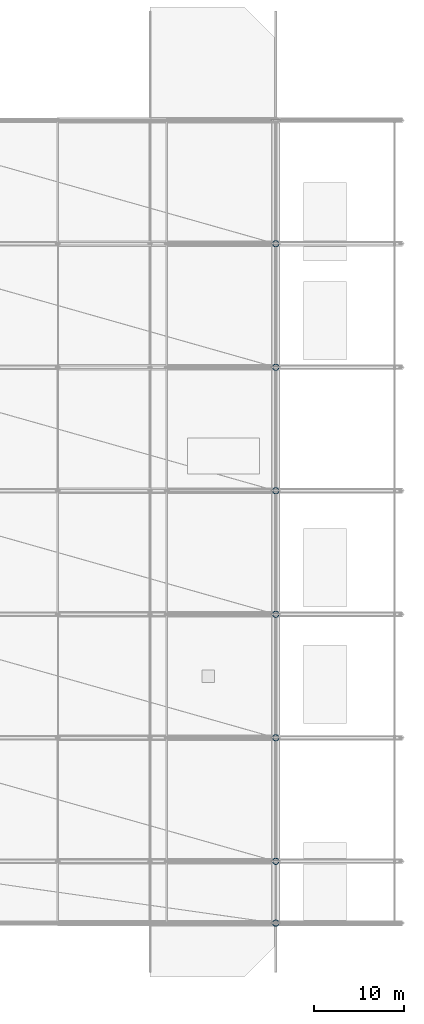
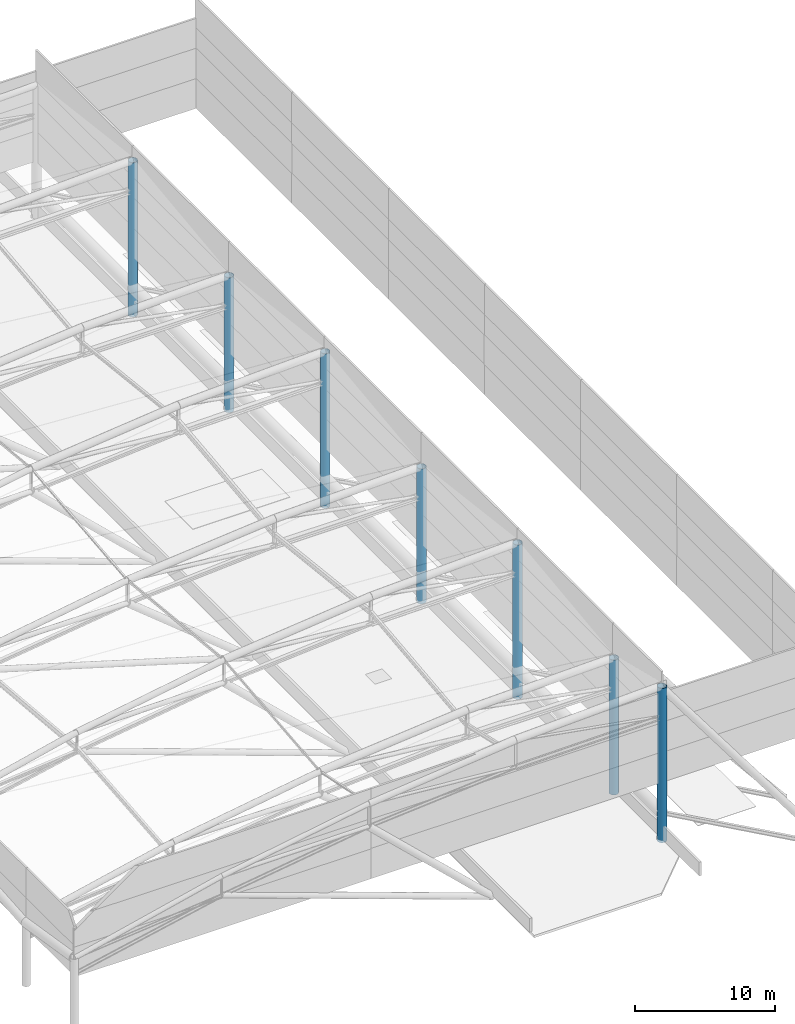
# One storey, part 7 of 113: 7 columns.
"""IFC4 building model written with IfcOpenShell, lengths in metres."""

from ifc_helpers import new_model, si_unit, direction, frame, origin, origin_2d, place, context, subcontext, project, spatial, hollow_circle, extrude, material, material_profile, profile_set, type_object, element, save


model = new_model("IFC4")

# Units and contexts
model_context = context("Model", 3, precision=1e-05, world=origin(), true_north=direction((0.0, 1.0)))
body_context = subcontext(model_context, "Body", "Model", "MODEL_VIEW")
ifc_project = project(units=[si_unit("LENGTHUNIT", "METRE"), si_unit("AREAUNIT", "SQUARE_METRE"), si_unit("VOLUMEUNIT", "CUBIC_METRE"), si_unit("PLANEANGLEUNIT", "RADIAN"), si_unit("MASSUNIT", "GRAM", prefix="KILO")], contexts=[model_context])

# Site, building, storey
site_placement = place(None, origin())
site = spatial("IfcSite", under=ifc_project, at=site_placement, CompositionType="ELEMENT")
building_placement = place(site_placement, origin())
building = spatial("IfcBuilding", under=site, at=building_placement, Name="Linyun Crest Stadium", CompositionType="ELEMENT")
storey_placement = place(building_placement, frame((0.0, 0.0, 26.39990234375)))
storey = spatial("IfcBuildingStorey", under=building, at=storey_placement, Name="L06", CompositionType="ELEMENT", Elevation=26.39990234375)

# Columns
ifc_material = material(Name="Steel Q420C", Category="steel")
ifc_material_profile = material_profile(ifc_material, hollow_circle(Radius=0.35546875, WallThickness=0.031982421875, at=origin_2d()), Name="CHS 711x32")
ifc_profile_set = profile_set([ifc_material_profile], Name="Steel Q420C")
column_type = type_object("IfcColumnType", Name="MST02", PredefinedType="USERDEFINED", material=ifc_profile_set)
column_1_placement = place(storey_placement, frame((84.0, -46.0, -0.21484375), z_axis=(0.0, 0.0, 1.0), x_axis=(1.0, 0.0, 0.0)))
element("IfcColumn", 1, at=column_1_placement, inside=storey, type_object=column_type, Name="Roof mast MST02 V2 17", ObjectType="ROOF MAST", PredefinedType="USERDEFINED", context=body_context, shape_type="SweptSolid", body=[
    extrude(hollow_circle(Radius=0.35546875, WallThickness=0.031982421875, at=origin_2d()), origin(), (0.0, 0.0, 1.0), 13.46484375),
])
column_2_placement = place(storey_placement, frame((84.0, -39.125, -0.21484375), z_axis=(0.0, 0.0, 1.0), x_axis=(1.0, 0.0, 0.0)))
element("IfcColumn", 2, at=column_2_placement, inside=storey, type_object=column_type, Name="Roof mast MST02 V2 19", ObjectType="ROOF MAST", PredefinedType="USERDEFINED", context=body_context, shape_type="SweptSolid", body=[
    extrude(hollow_circle(Radius=0.35546875, WallThickness=0.031982421875, at=origin_2d()), origin(), (0.0, 0.0, 1.0), 11.764892578125),
])
column_3_placement = place(storey_placement, frame((84.0, -25.375, -0.21484375), z_axis=(0.0, 0.0, 1.0), x_axis=(1.0, 0.0, 0.0)))
element("IfcColumn", 3, at=column_3_placement, inside=storey, type_object=column_type, Name="Roof mast MST02 V2 21", ObjectType="ROOF MAST", PredefinedType="USERDEFINED", context=body_context, shape_type="SweptSolid", body=[
    extrude(hollow_circle(Radius=0.35546875, WallThickness=0.031982421875, at=origin_2d()), origin(), (0.0, 0.0, 1.0), 13.46484375),
])
column_4_placement = place(storey_placement, frame((84.0, -11.625, -0.21484375), z_axis=(0.0, 0.0, 1.0), x_axis=(1.0, 0.0, 0.0)))
element("IfcColumn", 4, at=column_4_placement, inside=storey, type_object=column_type, Name="Roof mast MST02 V2 23", ObjectType="ROOF MAST", PredefinedType="USERDEFINED", context=body_context, shape_type="SweptSolid", body=[
    extrude(hollow_circle(Radius=0.35546875, WallThickness=0.031982421875, at=origin_2d()), origin(), (0.0, 0.0, 1.0), 11.764892578125),
])
column_5_placement = place(storey_placement, frame((84.0, 2.125, -0.21484375), z_axis=(0.0, 0.0, 1.0), x_axis=(1.0, 0.0, 0.0)))
element("IfcColumn", 5, at=column_5_placement, inside=storey, type_object=column_type, Name="Roof mast MST02 V2 25", ObjectType="ROOF MAST", PredefinedType="USERDEFINED", context=body_context, shape_type="SweptSolid", body=[
    extrude(hollow_circle(Radius=0.35546875, WallThickness=0.031982421875, at=origin_2d()), origin(), (0.0, 0.0, 1.0), 13.46484375),
])
column_6_placement = place(storey_placement, frame((84.0, 15.875, -0.21484375), z_axis=(0.0, 0.0, 1.0), x_axis=(1.0, 0.0, 0.0)))
element("IfcColumn", 6, at=column_6_placement, inside=storey, type_object=column_type, Name="Roof mast MST02 V2 27", ObjectType="ROOF MAST", PredefinedType="USERDEFINED", context=body_context, shape_type="SweptSolid", body=[
    extrude(hollow_circle(Radius=0.35546875, WallThickness=0.031982421875, at=origin_2d()), origin(), (0.0, 0.0, 1.0), 11.764892578125),
])
column_7_placement = place(storey_placement, frame((84.0, 29.625, -0.21484375), z_axis=(0.0, 0.0, 1.0), x_axis=(1.0, 0.0, 0.0)))
element("IfcColumn", 7, at=column_7_placement, inside=storey, type_object=column_type, Name="Roof mast MST02 V2 29", ObjectType="ROOF MAST", PredefinedType="USERDEFINED", context=body_context, shape_type="SweptSolid", body=[
    extrude(hollow_circle(Radius=0.35546875, WallThickness=0.031982421875, at=origin_2d()), origin(), (0.0, 0.0, 1.0), 13.46484375),
])

save(model, "model.ifc")
